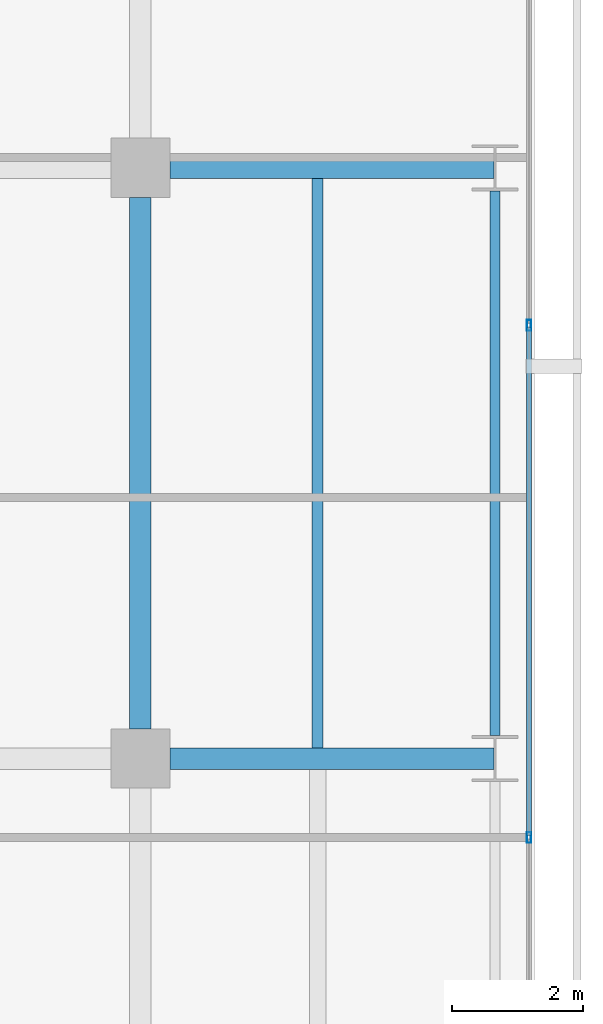
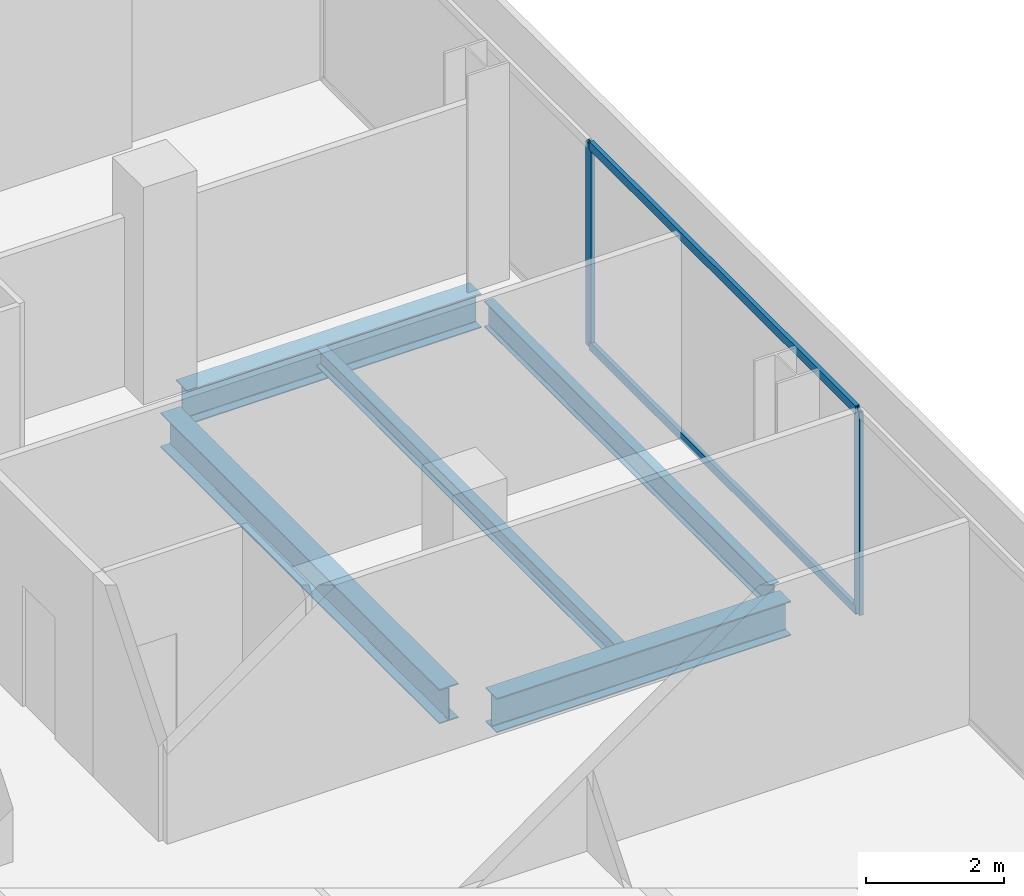
# One storey, part 28 of 41: 5 beams, 4 members, 1 element without a shape of its own.
"""IFC4 building model written with IfcOpenShell, lengths in metres."""

from ifc_helpers import new_model, si_unit, direction, frame, origin, origin_2d, place, context, subcontext, project, spatial, hollow_rectangle, i_section, extrude, material, layer, layer_set, material_profile, profile_set, type_object, element, aggregate, save


model = new_model("IFC4")

# Units and contexts
model_context = context("Model", 3, precision=1e-05, world=origin(), true_north=direction((0.0, 1.0)))
body_context = subcontext(model_context, "Body", "Model", "MODEL_VIEW")
ifc_project = project(units=[si_unit("LENGTHUNIT", "METRE"), si_unit("AREAUNIT", "SQUARE_METRE"), si_unit("VOLUMEUNIT", "CUBIC_METRE"), si_unit("PLANEANGLEUNIT", "RADIAN"), si_unit("MASSUNIT", "GRAM", prefix="KILO")], contexts=[model_context])

# Site, building, storey
site_placement = place(None, origin())
site = spatial("IfcSite", under=ifc_project, at=site_placement, CompositionType="ELEMENT")
building_placement = place(site_placement, origin())
building = spatial("IfcBuilding", under=site, at=building_placement, Name="Maruvema Waterfront Hotel and Observation Tower", CompositionType="ELEMENT")
storey_placement = place(building_placement, frame((0.0, 0.0, 84.699951171875)))
storey = spatial("IfcBuildingStorey", under=building, at=storey_placement, Name="L20", CompositionType="ELEMENT", Elevation=84.699951171875)

# Curtain wall, members
ifc_material_1 = material(Name="Anodised bronze aluminium and solar-control low-E IGU", Category="aluminium")
ifc_layer = layer(ifc_material_1, 0.159912109375, Name="Zone 1 Bronze Inner Thermal Curtain Wall System CW-02")
ifc_layer_set = layer_set([ifc_layer], Name="Anodised bronze aluminium and solar-control low-E IGU")
curtain_wall_type = type_object("IfcCurtainWallType", Name="Zone 1 Bronze Inner Thermal Curtain Wall System CW-02", PredefinedType="USERDEFINED", material=ifc_layer_set)
curtain_wall_placement = place(storey_placement, origin())
curtain_wall = element("IfcCurtainWall", 1, at=curtain_wall_placement, inside=storey, type_object=curtain_wall_type, Name="L20 Curtain Wall CW-L20-E", ObjectType="UNITISED CURTAIN WALL", PredefinedType="USERDEFINED")
ifc_material_2 = material(Name="Anodised architectural bronze aluminium", Category="aluminium")
ifc_material_profile_1 = material_profile(ifc_material_2, hollow_rectangle(XDim=0.070068359375, YDim=0.14990234375, WallThickness=0.00390625, at=origin_2d()), Name="ALU-T70x150")
ifc_profile_set_1 = profile_set([ifc_material_profile_1], Name="Anodised architectural bronze aluminium")
member_type_1 = type_object("IfcMemberType", Name="Curtain Wall Horizontal Transom ALU-T70x150", PredefinedType="USERDEFINED", material=ifc_profile_set_1)
member_1_placement = place(storey_placement, frame((64.719970703125, 34.830078125, 0.030029296875), z_axis=(0.0, 1.0, 0.0), x_axis=(-1.0, 0.0, 0.0)))
member_1 = element("IfcMember", 2, at=member_1_placement, type_object=member_type_1, Name="CW-02 transom 5.1", ObjectType="TRANSOM", PredefinedType="USERDEFINED", context=body_context, shape_type="SweptSolid", body=[
    extrude(hollow_rectangle(XDim=0.070068359375, YDim=0.14990234375, WallThickness=0.00390625, at=origin_2d()), origin(), (0.0, 0.0, 1.0), 7.739990234375),
])
member_2_placement = place(storey_placement, frame((64.719970703125, 34.830078125, 3.580078125), z_axis=(0.0, 1.0, 0.0), x_axis=(-1.0, 0.0, 0.0)))
member_2 = element("IfcMember", 3, at=member_2_placement, type_object=member_type_1, Name="CW-02 transom 5.2", ObjectType="TRANSOM", PredefinedType="USERDEFINED", context=body_context, shape_type="SweptSolid", body=[
    extrude(hollow_rectangle(XDim=0.070068359375, YDim=0.14990234375, WallThickness=0.00390625, at=origin_2d()), origin(), (0.0, 0.0, 1.0), 7.739990234375),
])
ifc_material_3 = material(Name="Anodised architectural bronze aluminium", Category="aluminium")
ifc_material_profile_2 = material_profile(ifc_material_3, hollow_rectangle(XDim=0.06494140625, YDim=0.1650390625, WallThickness=0.00390625, at=origin_2d()), Name="ALU-M65x165")
ifc_profile_set_2 = profile_set([ifc_material_profile_2], Name="Anodised architectural bronze aluminium")
member_type_2 = type_object("IfcMemberType", Name="Curtain Wall Primary Mullion ALU-M65x165", PredefinedType="MULLION", material=ifc_profile_set_2)
member_3_placement = place(storey_placement, frame((64.719970703125, 34.800048828125, 0.0), z_axis=(0.0, 0.0, 1.0), x_axis=(-1.0, 0.0, 0.0)))
member_3 = element("IfcMember", 4, at=member_3_placement, type_object=member_type_2, Name="CW-02 mullion 5", PredefinedType="MULLION", context=body_context, shape_type="SweptSolid", body=[
    extrude(hollow_rectangle(XDim=0.06494140625, YDim=0.1650390625, WallThickness=0.00390625, at=origin_2d()), origin(), (0.0, 0.0, 1.0), 3.610107421875),
])
member_4_placement = place(storey_placement, frame((64.719970703125, 42.60009765625, 0.0), z_axis=(0.0, 0.0, 1.0), x_axis=(-1.0, 0.0, 0.0)))
member_4 = element("IfcMember", 5, at=member_4_placement, type_object=member_type_2, Name="CW-02 mullion 6", PredefinedType="MULLION", context=body_context, shape_type="SweptSolid", body=[
    extrude(hollow_rectangle(XDim=0.06494140625, YDim=0.1650390625, WallThickness=0.00390625, at=origin_2d()), origin(), (0.0, 0.0, 1.0), 3.610107421875),
])
aggregate(curtain_wall, [member_3, member_4, member_1, member_2])

# Beams
ifc_material_4 = material(Name="Steel ASTM A572 Grade 50", Category="steel")
ifc_material_profile_3 = material_profile(ifc_material_4, i_section(OverallWidth=0.153076171875, OverallDepth=0.455078125, WebThickness=0.008056640625, FlangeThickness=0.01318359375, FilletRadius=0.014892578125, at=origin_2d()), Name="W460x60.0")
ifc_profile_set_3 = profile_set([ifc_material_profile_3], Name="Steel ASTM A572 Grade 50")
beam_type_1 = type_object("IfcBeamType", Name="Perimeter Spandrel Beam W460x60.0", PredefinedType="SPANDREL", material=ifc_profile_set_3)
beam_1_placement = place(storey_placement, frame((64.199951171875, 36.35009765625, -0.467529296875), z_axis=(0.0, 1.0, 0.0), x_axis=(-1.0, 0.0, 0.0)))
element("IfcBeam", 6, at=beam_1_placement, inside=storey, type_object=beam_type_1, Name="L20 Floor Girder NS-36", PredefinedType="SPANDREL", context=body_context, shape_type="SweptSolid", body=[
    extrude(i_section(OverallWidth=0.153076171875, OverallDepth=0.455078125, WebThickness=0.008056640625, FlangeThickness=0.01318359375, FilletRadius=0.014892578125, at=origin_2d()), origin(), (0.0, 0.0, 1.0), 8.2998046875),
])
ifc_material_5 = material(Name="Steel ASTM A572 Grade 50", Category="steel")
ifc_material_profile_4 = material_profile(ifc_material_5, i_section(OverallWidth=0.323974609375, OverallDepth=0.611083984375, WebThickness=0.0126953125, FlangeThickness=0.01904296875, FilletRadius=0.01806640625, at=origin_2d()), Name="W610x155.0")
ifc_profile_set_4 = profile_set([ifc_material_profile_4], Name="Steel ASTM A572 Grade 50")
beam_type_2 = type_object("IfcBeamType", Name="Primary Floor Girder W610x155.0", PredefinedType="BEAM", material=ifc_profile_set_4)
for number, where, z_axis, x_axis, name in (
    (7, (59.25, 36.0, -0.54541015625), (1.0, 0.0, 0.0), (0.0, 1.0, 0.0), "L20 Floor Girder EW-31"),
    (8, (59.25, 45.0, -0.54541015625), (1.0, 0.0, 0.0), (0.0, 1.0, 0.0), "L20 Floor Girder EW-35"),
):
    element("IfcBeam", number, at=place(storey_placement, frame(where, z_axis=z_axis, x_axis=x_axis)), inside=storey, type_object=beam_type_2, Name=name, PredefinedType="BEAM", context=body_context, shape_type="SweptSolid", body=[
        extrude(i_section(OverallWidth=0.323974609375, OverallDepth=0.611083984375, WebThickness=0.0126953125, FlangeThickness=0.01904296875, FilletRadius=0.01806640625, at=origin_2d()), origin(), (0.0, 0.0, 1.0), 4.93603515625),
    ])
beam_2_placement = place(storey_placement, frame((58.800048828125, 36.449951171875, -0.54541015625), z_axis=(0.0, 1.0, 0.0), x_axis=(-1.0, 0.0, 0.0)))
element("IfcBeam", 9, at=beam_2_placement, inside=storey, type_object=beam_type_2, Name="L20 Floor Girder NS-31", PredefinedType="BEAM", context=body_context, shape_type="SweptSolid", body=[
    extrude(i_section(OverallWidth=0.323974609375, OverallDepth=0.611083984375, WebThickness=0.0126953125, FlangeThickness=0.01904296875, FilletRadius=0.01806640625, at=origin_2d()), origin(), (0.0, 0.0, 1.0), 8.10009765625),
])
ifc_material_6 = material(Name="Steel ASTM A572 Grade 50", Category="steel")
ifc_material_profile_5 = material_profile(ifc_material_6, i_section(OverallWidth=0.1669921875, OverallDepth=0.31689453125, WebThickness=0.007568359375, FlangeThickness=0.01318359375, FilletRadius=0.012939453125, at=origin_2d()), Name="W310x52.0")
ifc_profile_set_5 = profile_set([ifc_material_profile_5], Name="Steel ASTM A572 Grade 50")
beam_type_3 = type_object("IfcBeamType", Name="Secondary Floor Joist W310x52.0", PredefinedType="JOIST", material=ifc_profile_set_5)
beam_3_placement = place(storey_placement, frame((61.5, 36.162109375, -0.3984375), z_axis=(0.0, 1.0, 0.0), x_axis=(-1.0, 0.0, 0.0)))
element("IfcBeam", 10, at=beam_3_placement, inside=storey, type_object=beam_type_3, Name="L20 Secondary Floor Joist JS-24", PredefinedType="JOIST", context=body_context, shape_type="SweptSolid", body=[
    extrude(i_section(OverallWidth=0.1669921875, OverallDepth=0.31689453125, WebThickness=0.007568359375, FlangeThickness=0.01318359375, FilletRadius=0.012939453125, at=origin_2d()), origin(), (0.0, 0.0, 1.0), 8.67578125),
])

save(model, "model.ifc")
